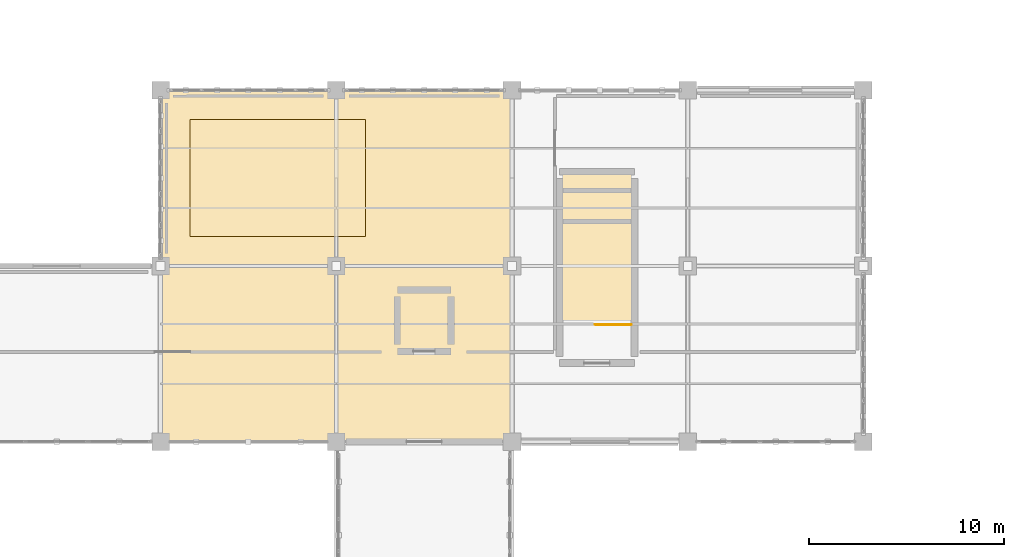
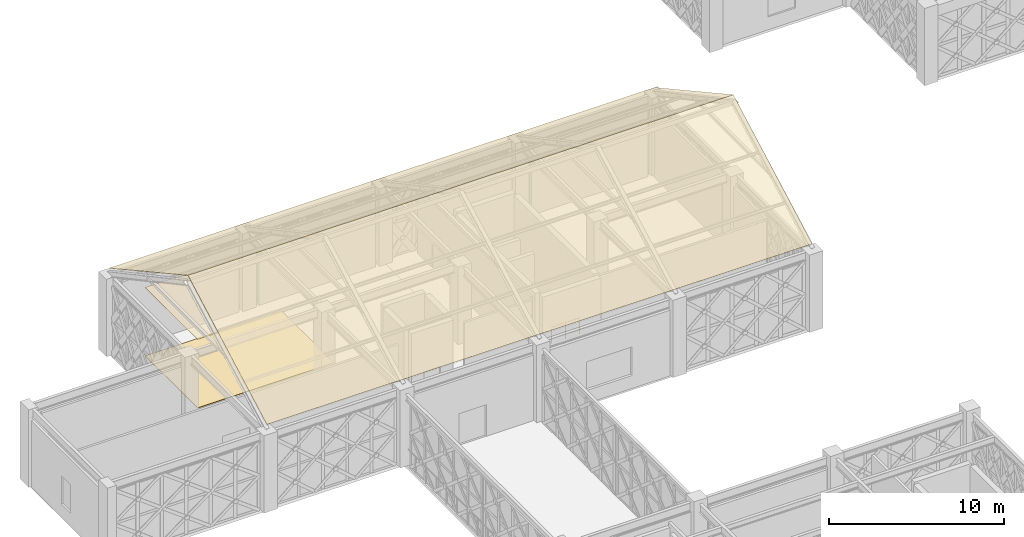
# One storey, part 161 of 166: 4 coverings, 1 railing.
"""IFC4 building model written with IfcOpenShell, lengths in metres."""

import ifcopenshell
import ifcopenshell.guid

model = None  # the IFC model being written
_history = None  # IfcOwnerHistory: only IFC2X3 demands one
_inside = {}  # id of a spatial element -> (the spatial element, [elements in it])
_under = {}  # id of a project, library or spatial element -> (it, [spatial elements below it])
_declared = {}  # id of a project -> (the project, [libraries it declares])
_typed = {}  # id of a type object -> (the type object, [elements of that type])
_made_of = {}  # id of a material, layer set ... -> (it, [elements and type objects made of it])


def new_model(schema):
    """Start an empty IFC model of exactly this schema.

    Asked for "IFC4X3", IfcOpenShell would pick the latest addendum, in which some entities
    have other attributes; the version numbers below select the first issue.
    IFC2X3 requires an IfcOwnerHistory on every rooted entity: one is made here for all.
    """
    global model, _history
    if schema == "IFC4X3":
        model = ifcopenshell.file(schema_version=(4, 3, 0, 0))
    else:
        model = ifcopenshell.file(schema=schema)
    _inside.clear()
    _under.clear()
    _declared.clear()
    _typed.clear()
    _made_of.clear()
    _history = None
    if model.schema == "IFC2X3":
        org = make("IfcOrganization", Name="unknown")
        user = make(
            "IfcPersonAndOrganization",
            ThePerson=make("IfcPerson", FamilyName="unknown"),
            TheOrganization=org,
        )
        app = make(
            "IfcApplication",
            ApplicationDeveloper=org,
            Version="unknown",
            ApplicationFullName="unknown",
            ApplicationIdentifier="unknown",
        )
        _history = make(
            "IfcOwnerHistory",
            OwningUser=user,
            OwningApplication=app,
            ChangeAction="ADDED",
            CreationDate=0,
        )
    return model


def make(cls, **values):
    """One entity of the class cls with the attributes given. An attribute that is None is left unset."""
    return model.create_entity(
        cls, **{name: value for name, value in values.items() if value is not None}
    )


def rooted(cls, **values):
    """An entity with a GlobalId (a new one), such as an element, a storey or a relation."""
    return make(cls, GlobalId=ifcopenshell.guid.new(), OwnerHistory=_history, **values)


def si_unit(unit_type, name, prefix=None):
    """IfcSIUnit, for example si_unit("LENGTHUNIT", "METRE", prefix="MILLI")."""
    return make("IfcSIUnit", UnitType=unit_type, Prefix=prefix, Name=name)


def assignment(units):
    """IfcUnitAssignment: the units of a project."""
    return None if units is None else make("IfcUnitAssignment", Units=units)


def point(xyz):
    """IfcCartesianPoint."""
    return None if xyz is None else make("IfcCartesianPoint", Coordinates=xyz)


def direction(xyz):
    """IfcDirection."""
    return None if xyz is None else make("IfcDirection", DirectionRatios=xyz)


def frame(location, z_axis=None, x_axis=None):
    """IfcAxis2Placement3D, a coordinate frame: its origin and axes. An axis left out is left unset."""
    return make(
        "IfcAxis2Placement3D",
        Location=point(location),
        Axis=direction(z_axis),
        RefDirection=direction(x_axis),
    )


def frame_2d(location, x_axis=None):
    """IfcAxis2Placement2D, a coordinate frame in the plane: its origin and x axis."""
    return make(
        "IfcAxis2Placement2D", Location=point(location), RefDirection=direction(x_axis)
    )


def origin():
    """The frame at (0, 0, 0) with its axes left unset."""
    return frame((0.0, 0.0, 0.0))


def origin_2d():
    """The frame at (0, 0) in the plane with its x axis left unset."""
    return frame_2d((0.0, 0.0))


def place(relative_to, where):
    """IfcLocalPlacement: puts the frame where relative to a parent placement (None: the world)."""
    return make(
        "IfcLocalPlacement", PlacementRelTo=relative_to, RelativePlacement=where
    )


def context(
    kind, dimensions, precision=None, world=None, true_north=None, identifier=None
):
    """IfcGeometricRepresentationContext, for example the 3D "Model" context."""
    return make(
        "IfcGeometricRepresentationContext",
        ContextIdentifier=identifier,
        ContextType=kind,
        CoordinateSpaceDimension=dimensions,
        Precision=precision,
        WorldCoordinateSystem=world,
        TrueNorth=true_north,
    )


def subcontext(parent, identifier, kind, view, scale=None):
    """IfcGeometricRepresentationSubContext, for example "Body" below "Model"."""
    return make(
        "IfcGeometricRepresentationSubContext",
        ContextIdentifier=identifier,
        ContextType=kind,
        ParentContext=parent,
        TargetScale=scale,
        TargetView=view,
    )


def project(units=None, contexts=None):
    """IfcProject with its units and contexts."""
    return rooted(
        "IfcProject",
        Name="project",
        RepresentationContexts=contexts,
        UnitsInContext=assignment(units),
    )


def spatial(cls, under=None, at=None, **own):
    """A site, building, storey or space (cls), placed at a placement, below another one or the project."""
    s = rooted(cls, ObjectPlacement=at, **own)
    if under is not None:
        _under.setdefault(under.id(), (under, []))[1].append(s)
    return s


def polyline(points):
    """IfcPolyline through the points."""
    return make("IfcPolyline", Points=[point(p) for p in points])


def profile(cls, at=None, kind="AREA", **sizes):
    """A parametric profile (cls). Its sizes go by their IFC names, for example OverallWidth=200.0."""
    return make(cls, ProfileType=kind, Position=at, **sizes)


def circle(**sizes):
    """IfcCircleProfileDef."""
    return profile("IfcCircleProfileDef", **sizes)


def outline(outer, holes=None, kind="AREA"):
    """IfcArbitraryClosedProfileDef: a profile drawn as a closed curve; with holes, ...WithVoids."""
    if holes is None:
        return make("IfcArbitraryClosedProfileDef", ProfileType=kind, OuterCurve=outer)
    return make(
        "IfcArbitraryProfileDefWithVoids",
        ProfileType=kind,
        OuterCurve=outer,
        InnerCurves=holes,
    )


def extrude(swept, where, along, depth):
    """IfcExtrudedAreaSolid: the profile swept, set in the frame where, extruded along a direction by depth."""
    return make(
        "IfcExtrudedAreaSolid",
        SweptArea=swept,
        Position=where,
        ExtrudedDirection=direction(along),
        Depth=depth,
    )


def shape(context_of_items, identifier, shape_type, items):
    """IfcShapeRepresentation: the items that make up one representation, for example the "Body"."""
    return make(
        "IfcShapeRepresentation",
        ContextOfItems=context_of_items,
        RepresentationIdentifier=identifier,
        RepresentationType=shape_type,
        Items=items,
    )


def material(Name=None, Category=None):
    """IfcMaterial."""
    return make("IfcMaterial", Name=Name, Category=Category)


def layer(
    of_material, thickness, ventilated=None, Name=None, Category=None, Priority=None
):
    """IfcMaterialLayer: one layer of a wall or slab, of a material (None: an air gap)."""
    return make(
        "IfcMaterialLayer",
        Material=of_material,
        LayerThickness=thickness,
        IsVentilated=ventilated,
        Name=Name,
        Category=Category,
        Priority=Priority,
    )


def layer_set(layers, Name=None):
    """IfcMaterialLayerSet."""
    return make("IfcMaterialLayerSet", MaterialLayers=layers, LayerSetName=Name)


def made_of(thing, what):
    """Note that an element or type object is made of a material, layer set ...; save() writes the relation."""
    if what is not None:
        _made_of.setdefault(what.id(), (what, []))[1].append(thing)
    return thing


def type_object(cls, material=None, **own):
    """A type object (cls), such as IfcWallType, which elements share."""
    return made_of(rooted(cls, **own), material)


def element(
    cls,
    number,
    at=None,
    inside=None,
    cuts=None,
    type_object=None,
    material=None,
    context=None,
    identifier="Body",
    shape_type=None,
    held_by="IfcProductDefinitionShape",
    body=None,
    shapes=None,
    **own,
):
    """One element of the class cls, such as IfcWall. Its Tag is "e" and its number.

    at: its placement. inside: the storey or other place that contains it. cuts: it is an
    opening in that element (IfcRelVoidsElement). A single representation is given by context,
    identifier, shape_type and body (its items); several are given by shapes. held_by: the class
    of the entity that holds the representations. save() writes the other relations.
    """
    e = rooted(cls, Tag="e%d" % number, ObjectPlacement=at, **own)
    if body is not None:
        shapes = [shape(context, identifier, shape_type, body)]
    if shapes is not None:
        e.Representation = make(held_by, Representations=shapes)
    if inside is not None:
        _inside.setdefault(inside.id(), (inside, []))[1].append(e)
    if cuts is not None:
        rooted(
            "IfcRelVoidsElement", RelatingBuildingElement=cuts, RelatedOpeningElement=e
        )
    if type_object is not None:
        _typed.setdefault(type_object.id(), (type_object, []))[1].append(e)
    return made_of(e, material)


def aggregate(whole, parts):
    """IfcRelAggregates: a whole, such as a stair, and the parts it consists of."""
    return rooted("IfcRelAggregates", RelatingObject=whole, RelatedObjects=parts)


def save(model, path):
    """Write the relations noted so far, then the file.

    IfcRelAggregates (storeys below a building ...), IfcRelContainedInSpatialStructure (elements
    in a storey), IfcRelDefinesByType, IfcRelAssociatesMaterial and IfcRelDeclares: one each for
    every whole, place, type object, material and project.
    """
    for whole, parts in _under.values():
        aggregate(whole, parts)
    for where, things in _inside.values():
        rooted(
            "IfcRelContainedInSpatialStructure",
            RelatedElements=things,
            RelatingStructure=where,
        )
    for kind, things in _typed.values():
        rooted("IfcRelDefinesByType", RelatedObjects=things, RelatingType=kind)
    for what, things in _made_of.values():
        rooted("IfcRelAssociatesMaterial", RelatedObjects=things, RelatingMaterial=what)
    for by, libraries in _declared.values():
        rooted("IfcRelDeclares", RelatingContext=by, RelatedDefinitions=libraries)
    model.write(path)


model = new_model("IFC4")

# Units and contexts
model_context = context("Model", 3, precision=1e-05, world=origin(), true_north=direction((0.0, 1.0)))
body_context = subcontext(model_context, "Body", "Model", "MODEL_VIEW")
ifc_project = project(units=[si_unit("LENGTHUNIT", "METRE"), si_unit("AREAUNIT", "SQUARE_METRE"), si_unit("VOLUMEUNIT", "CUBIC_METRE"), si_unit("PLANEANGLEUNIT", "RADIAN"), si_unit("MASSUNIT", "GRAM", prefix="KILO")], contexts=[model_context])

# Site, building, storey
site_placement = place(None, origin())
site = spatial("IfcSite", under=ifc_project, at=site_placement, CompositionType="ELEMENT")
building_placement = place(site_placement, origin())
building = spatial("IfcBuilding", under=site, at=building_placement, Name="Haizhuo Lancet Aquarium", CompositionType="ELEMENT")
storey_placement = place(building_placement, frame((0.0, 0.0, 5.39990234375)))
storey = spatial("IfcBuildingStorey", under=building, at=storey_placement, Name="L01", CompositionType="ELEMENT", Elevation=5.39990234375)

# Coverings
ifc_material_1 = material(Name="Acoustic Mineral Fibre Board")
ifc_layer_1 = layer(ifc_material_1, 0.02490234375)
ifc_layer_set_1 = layer_set([ifc_layer_1], Name="Acoustic Mineral Fibre Board")
covering_type_1 = type_object("IfcCoveringType", Name="COV-CLG-ACU", PredefinedType="CEILING", material=ifc_layer_set_1)
covering_1_placement = place(storey_placement, frame((0.0, 0.0, 4.775146484375)))
element("IfcCovering", 1, at=covering_1_placement, inside=storey, type_object=covering_type_1, Name="L01 V2 acoustic suspended ceiling 6", PredefinedType="CEILING", context=body_context, shape_type="SweptSolid", body=[
    extrude(outline(polyline([(-70.5, 19.5), (-61.5, 19.5), (-61.5, 25.5), (-70.5, 25.5), (-70.5, 19.5)])), origin(), (0.0, 0.0, 1.0), 0.02490234375),
])
ifc_material_2 = material(Name="Shandong Grey Limestone Ashlar", Category="masonry")
ifc_layer_2 = layer(ifc_material_2, 0.030029296875)
ifc_layer_set_2 = layer_set([ifc_layer_2], Name="Shandong Grey Limestone Ashlar")
covering_type_2 = type_object("IfcCoveringType", Name="COV-FLR-STN", PredefinedType="FLOORING", material=ifc_layer_set_2)
covering_2_placement = place(storey_placement, origin())
element("IfcCovering", 2, at=covering_2_placement, inside=storey, type_object=covering_type_2, Name="L01 V2 limestone floor finish 6", PredefinedType="FLOORING", context=body_context, shape_type="SweptSolid", body=[
    extrude(outline(polyline([(-70.5, 19.5), (-61.5, 19.5), (-61.5, 25.5), (-70.5, 25.5), (-70.5, 19.5)])), origin(), (0.0, 0.0, 1.0), 0.030029296875),
])

# Railing
ifc_material_3 = material(Name="Steel S355", Category="steel")
railing_type = type_object("IfcRailingType", Name="RL-GRD-1150", PredefinedType="GUARDRAIL", material=ifc_material_3)
railing_placement = place(storey_placement, frame((-47.89990234375, 15.0, 0.0)))
element("IfcRailing", 3, at=railing_placement, inside=storey, type_object=railing_type, Name="L01 ST-03 top well guard 1", PredefinedType="GUARDRAIL", context=body_context, shape_type="SweptSolid", body=[
    extrude(circle(Radius=0.02392578125, at=origin_2d()), frame((-0.030029296875, 0.0, 1.1259765625), z_axis=(-1.0, 0.0, 0.0), x_axis=(0.0, -1.0, 0.0)), (0.0, 0.0, 1.0), 1.7900390625),
    extrude(circle(Radius=0.02099609375, at=origin_2d()), origin(), (0.0, 0.0, 1.0), 1.097900390625),
    extrude(circle(Radius=0.02099609375, at=origin_2d()), frame((-0.925048828125, 0.0, 0.0)), (0.0, 0.0, 1.0), 1.097900390625),
    extrude(circle(Radius=0.02099609375, at=origin_2d()), frame((-1.85009765625, 0.0, 0.0)), (0.0, 0.0, 1.0), 1.097900390625),
])

# Coverings
ifc_material_4 = material(Name="Standing-Seam Titanium Zinc", Category="steel")
covering_type_3 = type_object("IfcCoveringType", Name="COV-RF-ZINC", PredefinedType="ROOFING", material=ifc_material_4)
for number, where, z_axis, x_axis, name in (
    (4, (-72.0, 9.0, 5.76513671875), (0.0, -0.481988090147, 0.876177767897), (1.0, 0.0, 0.0), "V2 standing-seam titanium zinc roofing S"),
    (5, (-36.0, 27.0, 5.76513671875), (0.0, 0.481988090147, 0.876177767897), (-1.0, 0.0, 0.0), "V2 standing-seam titanium zinc roofing N"),
):
    element("IfcCovering", number, at=place(storey_placement, frame(where, z_axis=z_axis, x_axis=x_axis)), inside=storey, type_object=covering_type_3, material=ifc_material_4, Name=name, PredefinedType="ROOFING", context=body_context, shape_type="SweptSolid", body=[
        extrude(outline(polyline([(0.0, 0.0), (36.0, 0.0), (36.0, 10.27188811421754), (0.0, 10.27188811421754), (0.0, 0.0)])), origin(), (0.0, 0.0, -1.0), 0.02490234375),
    ])

save(model, "model.ifc")
